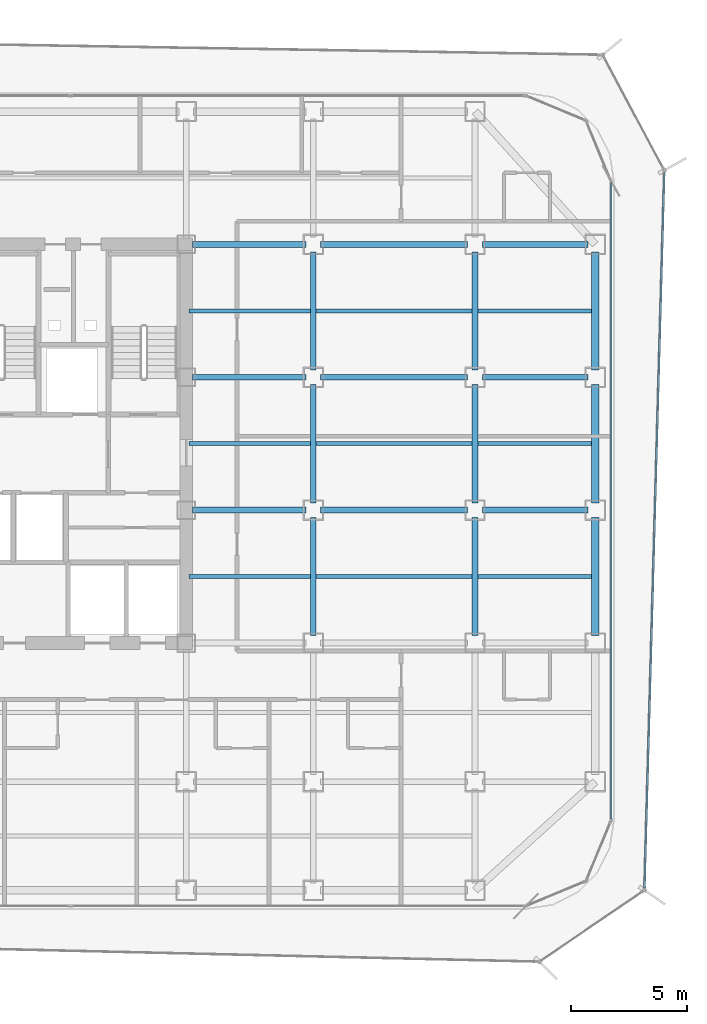
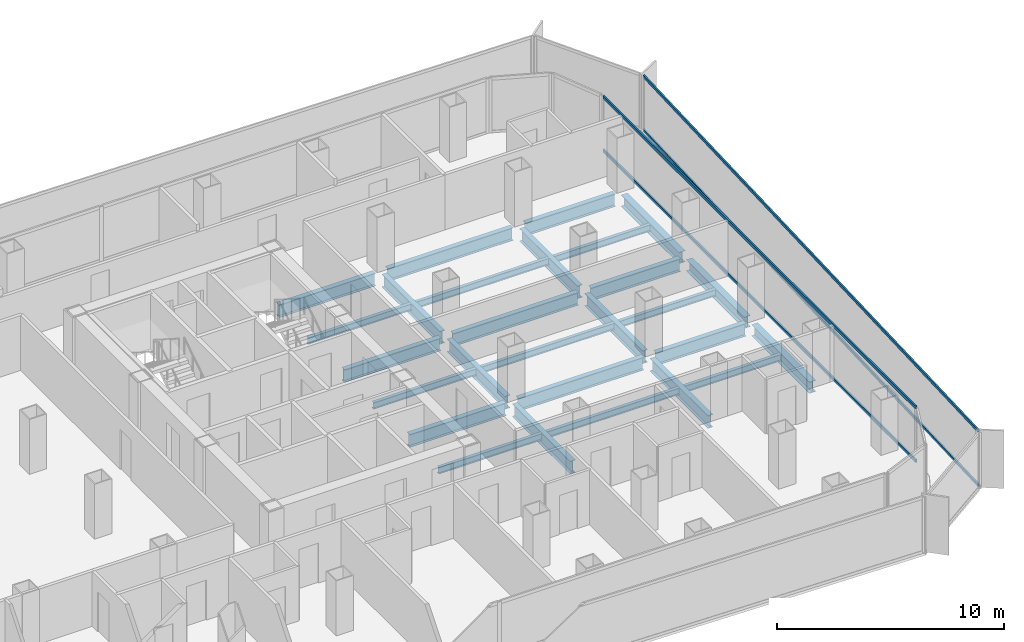
# One storey, part 9 of 21: 27 beams, 4 members, 2 elements without a shape of their own.
"""IFC4 building model written with IfcOpenShell, lengths in metres."""

from ifc_helpers import new_model, si_unit, direction, frame, origin, origin_2d, place, context, subcontext, project, spatial, hollow_rectangle, i_section, extrude, source, transform, mapped, material, layer, layer_set, material_profile, profile_set, type_object, element, aggregate, save


model = new_model("IFC4")

# Units and contexts
model_context = context("Model", 3, precision=1e-05, world=origin(), true_north=direction((0.0, 1.0)))
body_context = subcontext(model_context, "Body", "Model", "MODEL_VIEW")
ifc_project = project(units=[si_unit("LENGTHUNIT", "METRE"), si_unit("AREAUNIT", "SQUARE_METRE"), si_unit("VOLUMEUNIT", "CUBIC_METRE"), si_unit("PLANEANGLEUNIT", "RADIAN"), si_unit("MASSUNIT", "GRAM", prefix="KILO")], contexts=[model_context])

# Site, building, storey
site_placement = place(None, origin())
site = spatial("IfcSite", under=ifc_project, at=site_placement, CompositionType="ELEMENT")
building_placement = place(site_placement, origin())
building = spatial("IfcBuilding", under=site, at=building_placement, Name="Kolveth Station Tower", CompositionType="ELEMENT")
storey_placement = place(building_placement, frame((0.0, 0.0, 102.300048828125)))
storey = spatial("IfcBuildingStorey", under=building, at=storey_placement, Name="L27", CompositionType="ELEMENT", Elevation=102.300048828125)

# Beams
ifc_material_1 = material(Name="Steel S355", Category="steel")
ifc_material_profile_1 = material_profile(ifc_material_1, i_section(OverallWidth=0.323974609375, OverallDepth=0.611083984375, WebThickness=0.0126953125, FlangeThickness=0.01904296875, at=origin_2d()), Name="W610x155")
ifc_profile_set_1 = profile_set([ifc_material_profile_1], Name="Steel S355")
beam_type_1 = type_object("IfcBeamType", Name="Beam_SP2", PredefinedType="SPANDREL", material=ifc_profile_set_1)
shared_shape_1 = source(origin(), body_context, "Body", "SweptSolid", [
    extrude(i_section(OverallWidth=0.323974609375, OverallDepth=0.611083984375, WebThickness=0.0126953125, FlangeThickness=0.01904296875, at=origin_2d()), origin(), (0.0, 0.0, 1.0), 5.10986328125),
])
for number, where, z_axis, x_axis, name in (
    (1, (46.199951171875, 11.820068359375, -0.5556640625), (0.0, 1.0, 0.0), (-1.0, 0.0, 0.0), "L27 Perimeter Spandrel BM-L27-PE-2"),
    (2, (46.199951171875, 17.570068359375, -0.5556640625), (0.0, 1.0, 0.0), (-1.0, 0.0, 0.0), "L27 Perimeter Spandrel BM-L27-PE-3"),
    (3, (46.199951171875, 23.320068359375, -0.5556640625), (0.0, 1.0, 0.0), (-1.0, 0.0, 0.0), "L27 Perimeter Spandrel BM-L27-PE-4"),
):
    element("IfcBeam", number, at=place(storey_placement, frame(where, z_axis=z_axis, x_axis=x_axis)), inside=storey, type_object=beam_type_1, Name=name, PredefinedType="SPANDREL", context=body_context, shape_type="MappedRepresentation", body=[
        mapped(shared_shape_1, transform((0.0, 0.0, 0.0), x_axis=(1.0, 0.0, 0.0), y_axis=(0.0, 1.0, 0.0), z_axis=(0.0, 0.0, 1.0), scale=1.0)),
    ])
ifc_material_profile_2 = material_profile(ifc_material_1, i_section(OverallWidth=0.25390625, OverallDepth=0.68798828125, WebThickness=0.01318359375, FlangeThickness=0.02099609375, at=origin_2d()), Name="W690x152")
ifc_profile_set_2 = profile_set([ifc_material_profile_2], Name="Steel S355")
beam_type_2 = type_object("IfcBeamType", Name="Beam_B4", PredefinedType="BEAM", material=ifc_profile_set_2)
shared_shape_2 = source(origin(), body_context, "Body", "SweptSolid", [
    extrude(i_section(OverallWidth=0.25390625, OverallDepth=0.68798828125, WebThickness=0.01318359375, FlangeThickness=0.02099609375, at=origin_2d()), origin(), (0.0, 0.0, 1.0), 4.559814453125),
])
for number, where, z_axis, x_axis, name in (
    (4, (41.320068359375, 17.25, -0.593994140625), (1.0, 0.0, 0.0), (0.0, 1.0, 0.0), "L27 Primary Girder BM-L27-GY172-7"),
    (5, (41.320068359375, 23.0, -0.593994140625), (1.0, 0.0, 0.0), (0.0, 1.0, 0.0), "L27 Primary Girder BM-L27-GY230-7"),
    (6, (41.320068359375, 28.75, -0.593994140625), (1.0, 0.0, 0.0), (0.0, 1.0, 0.0), "L27 Primary Girder BM-L27-GY287-7"),
):
    element("IfcBeam", number, at=place(storey_placement, frame(where, z_axis=z_axis, x_axis=x_axis)), inside=storey, type_object=beam_type_2, Name=name, PredefinedType="BEAM", context=body_context, shape_type="MappedRepresentation", body=[
        mapped(shared_shape_2, transform((0.0, 0.0, 0.0), x_axis=(1.0, 0.0, 0.0), y_axis=(0.0, 1.0, 0.0), z_axis=(0.0, 0.0, 1.0), scale=1.0)),
    ])
shared_shape_3 = source(origin(), body_context, "Body", "SweptSolid", [
    extrude(i_section(OverallWidth=0.25390625, OverallDepth=0.68798828125, WebThickness=0.01318359375, FlangeThickness=0.02099609375, at=origin_2d()), origin(), (0.0, 0.0, 1.0), 6.35986328125),
])
for number, where, z_axis, x_axis, name in (
    (7, (34.320068359375, 17.25, -0.593994140625), (1.0, 0.0, 0.0), (0.0, 1.0, 0.0), "L27 Primary Girder BM-L27-GY172-6"),
    (8, (34.320068359375, 23.0, -0.593994140625), (1.0, 0.0, 0.0), (0.0, 1.0, 0.0), "L27 Primary Girder BM-L27-GY230-6"),
    (9, (34.320068359375, 28.75, -0.593994140625), (1.0, 0.0, 0.0), (0.0, 1.0, 0.0), "L27 Primary Girder BM-L27-GY287-6"),
):
    element("IfcBeam", number, at=place(storey_placement, frame(where, z_axis=z_axis, x_axis=x_axis)), inside=storey, type_object=beam_type_2, Name=name, PredefinedType="BEAM", context=body_context, shape_type="MappedRepresentation", body=[
        mapped(shared_shape_3, transform((0.0, 0.0, 0.0), x_axis=(1.0, 0.0, 0.0), y_axis=(0.0, 1.0, 0.0), z_axis=(0.0, 0.0, 1.0), scale=1.0)),
    ])
shared_shape_4 = source(origin(), body_context, "Body", "SweptSolid", [
    extrude(i_section(OverallWidth=0.25390625, OverallDepth=0.68798828125, WebThickness=0.01318359375, FlangeThickness=0.02099609375, at=origin_2d()), origin(), (0.0, 0.0, 1.0), 4.89990234375),
])
for number, where, z_axis, x_axis, name in (
    (10, (28.780029296875, 17.25, -0.593994140625), (1.0, 0.0, 0.0), (0.0, 1.0, 0.0), "L27 Primary Girder BM-L27-GY172-5"),
    (11, (28.780029296875, 23.0, -0.593994140625), (1.0, 0.0, 0.0), (0.0, 1.0, 0.0), "L27 Primary Girder BM-L27-GY230-5"),
    (12, (28.780029296875, 28.75, -0.593994140625), (1.0, 0.0, 0.0), (0.0, 1.0, 0.0), "L27 Primary Girder BM-L27-GY287-5"),
):
    element("IfcBeam", number, at=place(storey_placement, frame(where, z_axis=z_axis, x_axis=x_axis)), inside=storey, type_object=beam_type_2, Name=name, PredefinedType="BEAM", context=body_context, shape_type="MappedRepresentation", body=[
        mapped(shared_shape_4, transform((0.0, 0.0, 0.0), x_axis=(1.0, 0.0, 0.0), y_axis=(0.0, 1.0, 0.0), z_axis=(0.0, 0.0, 1.0), scale=1.0)),
    ])
shared_shape_5 = source(origin(), body_context, "Body", "SweptSolid", [
    extrude(i_section(OverallWidth=0.25390625, OverallDepth=0.68798828125, WebThickness=0.01318359375, FlangeThickness=0.02099609375, at=origin_2d()), origin(), (0.0, 0.0, 1.0), 5.10986328125),
])
for number, where, z_axis, x_axis, name in (
    (13, (34.0, 11.820068359375, -0.593994140625), (0.0, 1.0, 0.0), (-1.0, 0.0, 0.0), "L27 Primary Girder BM-L27-GX340-3"),
    (14, (34.0, 17.570068359375, -0.593994140625), (0.0, 1.0, 0.0), (-1.0, 0.0, 0.0), "L27 Primary Girder BM-L27-GX340-4"),
    (15, (34.0, 23.320068359375, -0.593994140625), (0.0, 1.0, 0.0), (-1.0, 0.0, 0.0), "L27 Primary Girder BM-L27-GX340-5"),
    (16, (41.0, 11.820068359375, -0.593994140625), (0.0, 1.0, 0.0), (-1.0, 0.0, 0.0), "L27 Primary Girder BM-L27-GX410-3"),
    (17, (41.0, 17.570068359375, -0.593994140625), (0.0, 1.0, 0.0), (-1.0, 0.0, 0.0), "L27 Primary Girder BM-L27-GX410-4"),
    (18, (41.0, 23.320068359375, -0.593994140625), (0.0, 1.0, 0.0), (-1.0, 0.0, 0.0), "L27 Primary Girder BM-L27-GX410-5"),
):
    element("IfcBeam", number, at=place(storey_placement, frame(where, z_axis=z_axis, x_axis=x_axis)), inside=storey, type_object=beam_type_2, Name=name, PredefinedType="BEAM", context=body_context, shape_type="MappedRepresentation", body=[
        mapped(shared_shape_5, transform((0.0, 0.0, 0.0), x_axis=(1.0, 0.0, 0.0), y_axis=(0.0, 1.0, 0.0), z_axis=(0.0, 0.0, 1.0), scale=1.0)),
    ])
ifc_material_profile_3 = material_profile(ifc_material_1, i_section(OverallWidth=0.1708984375, OverallDepth=0.35205078125, WebThickness=0.0068359375, FlangeThickness=0.009765625, at=origin_2d()), Name="W360x44")
ifc_profile_set_3 = profile_set([ifc_material_profile_3], Name="Steel S355")
beam_type_3 = type_object("IfcBeamType", Name="Beam_J2", PredefinedType="JOIST", material=ifc_profile_set_3)
shared_shape_6 = source(origin(), body_context, "Body", "SweptSolid", [
    extrude(i_section(OverallWidth=0.1708984375, OverallDepth=0.35205078125, WebThickness=0.0068359375, FlangeThickness=0.009765625, at=origin_2d()), origin(), (0.0, 0.0, 1.0), 4.9150390625),
])
for number, where, z_axis, x_axis, name in (
    (19, (41.125, 14.375, -0.426025390625), (1.0, 0.0, 0.0), (0.0, 1.0, 0.0), "L27 Secondary Joist JST-L27-7-3"),
    (20, (41.125, 20.125, -0.426025390625), (1.0, 0.0, 0.0), (0.0, 1.0, 0.0), "L27 Secondary Joist JST-L27-7-4"),
    (21, (41.125, 25.875, -0.426025390625), (1.0, 0.0, 0.0), (0.0, 1.0, 0.0), "L27 Secondary Joist JST-L27-7-5"),
):
    element("IfcBeam", number, at=place(storey_placement, frame(where, z_axis=z_axis, x_axis=x_axis)), inside=storey, type_object=beam_type_3, Name=name, PredefinedType="JOIST", context=body_context, shape_type="MappedRepresentation", body=[
        mapped(shared_shape_6, transform((0.0, 0.0, 0.0), x_axis=(1.0, 0.0, 0.0), y_axis=(0.0, 1.0, 0.0), z_axis=(0.0, 0.0, 1.0), scale=1.0)),
    ])
shared_shape_7 = source(origin(), body_context, "Body", "SweptSolid", [
    extrude(i_section(OverallWidth=0.1708984375, OverallDepth=0.35205078125, WebThickness=0.0068359375, FlangeThickness=0.009765625, at=origin_2d()), origin(), (0.0, 0.0, 1.0), 6.75),
])
for number, where, z_axis, x_axis, name in (
    (22, (34.125, 14.375, -0.426025390625), (1.0, 0.0, 0.0), (0.0, 1.0, 0.0), "L27 Secondary Joist JST-L27-6-3"),
    (23, (34.125, 20.125, -0.426025390625), (1.0, 0.0, 0.0), (0.0, 1.0, 0.0), "L27 Secondary Joist JST-L27-6-4"),
    (24, (34.125, 25.875, -0.426025390625), (1.0, 0.0, 0.0), (0.0, 1.0, 0.0), "L27 Secondary Joist JST-L27-6-5"),
):
    element("IfcBeam", number, at=place(storey_placement, frame(where, z_axis=z_axis, x_axis=x_axis)), inside=storey, type_object=beam_type_3, Name=name, PredefinedType="JOIST", context=body_context, shape_type="MappedRepresentation", body=[
        mapped(shared_shape_7, transform((0.0, 0.0, 0.0), x_axis=(1.0, 0.0, 0.0), y_axis=(0.0, 1.0, 0.0), z_axis=(0.0, 0.0, 1.0), scale=1.0)),
    ])
shared_shape_8 = source(origin(), body_context, "Body", "SweptSolid", [
    extrude(i_section(OverallWidth=0.1708984375, OverallDepth=0.35205078125, WebThickness=0.0068359375, FlangeThickness=0.009765625, at=origin_2d()), origin(), (0.0, 0.0, 1.0), 5.25),
])
for number, where, z_axis, x_axis, name in (
    (25, (28.625, 14.375, -0.426025390625), (1.0, 0.0, 0.0), (0.0, 1.0, 0.0), "L27 Secondary Joist JST-L27-5-3"),
    (26, (28.625, 20.125, -0.426025390625), (1.0, 0.0, 0.0), (0.0, 1.0, 0.0), "L27 Secondary Joist JST-L27-5-4"),
    (27, (28.625, 25.875, -0.426025390625), (1.0, 0.0, 0.0), (0.0, 1.0, 0.0), "L27 Secondary Joist JST-L27-5-5"),
):
    element("IfcBeam", number, at=place(storey_placement, frame(where, z_axis=z_axis, x_axis=x_axis)), inside=storey, type_object=beam_type_3, Name=name, PredefinedType="JOIST", context=body_context, shape_type="MappedRepresentation", body=[
        mapped(shared_shape_8, transform((0.0, 0.0, 0.0), x_axis=(1.0, 0.0, 0.0), y_axis=(0.0, 1.0, 0.0), z_axis=(0.0, 0.0, 1.0), scale=1.0)),
    ])

# Curtain wall, members
ifc_material_2 = material(Name="Aluminium 6063-T6 and low-E dark glass", Category="aluminium")
ifc_layer_1 = layer(ifc_material_2, 0.18994140625)
ifc_layer_set_1 = layer_set([ifc_layer_1], Name="Aluminium 6063-T6 and low-E dark glass")
curtain_wall_type_1 = type_object("IfcCurtainWallType", Name="CurtainWall_CW-Z2", PredefinedType="NOTDEFINED", material=ifc_layer_set_1)
curtain_wall_1_placement = place(storey_placement, origin())
curtain_wall_1 = element("IfcCurtainWall", 28, at=curtain_wall_1_placement, inside=storey, type_object=curtain_wall_type_1, Name="L27 Inner Thermal Curtain Wall 3", PredefinedType="NOTDEFINED")
ifc_material_3 = material(Name="Black anodized aluminium 6063-T6", Category="aluminium")
ifc_material_profile_4 = material_profile(ifc_material_3, hollow_rectangle(XDim=0.080078125, YDim=0.169921875, WallThickness=0.0048828125, at=origin_2d()), Name="ALU-80x170x5")
ifc_profile_set_4 = profile_set([ifc_material_profile_4], Name="Black anodized aluminium 6063-T6")
member_type_1 = type_object("IfcMemberType", Name="Transom_TR2", PredefinedType="USERDEFINED", material=ifc_profile_set_4)
shared_shape_9 = source(origin(), body_context, "Body", "SweptSolid", [
    extrude(hollow_rectangle(XDim=0.080078125, YDim=0.169921875, WallThickness=0.0048828125, at=origin_2d()), origin(), (0.0, 0.0, 1.0), 27.5400390625),
])
member_1_placement = place(storey_placement, frame((46.8798828125, 3.8798828125, 0.0400390625), z_axis=(0.0, 1.0, 0.0), x_axis=(-1.0, 0.0, 0.0)))
member_1 = element("IfcMember", 29, at=member_1_placement, type_object=member_type_1, Name="CW-Z2 transom 1.1", ObjectType="TRANSOM", PredefinedType="USERDEFINED", context=body_context, shape_type="MappedRepresentation", body=[
    mapped(shared_shape_9, transform((0.0, 0.0, 0.0), x_axis=(1.0, 0.0, 0.0), y_axis=(0.0, 1.0, 0.0), z_axis=(0.0, 0.0, 1.0), scale=1.0)),
])
member_2_placement = place(storey_placement, frame((46.8798828125, 3.8798828125, 2.909912109375), z_axis=(0.0, 1.0, 0.0), x_axis=(-1.0, 0.0, 0.0)))
member_2 = element("IfcMember", 30, at=member_2_placement, type_object=member_type_1, Name="CW-Z2 transom 1.2", ObjectType="TRANSOM", PredefinedType="USERDEFINED", context=body_context, shape_type="MappedRepresentation", body=[
    mapped(shared_shape_9, transform((0.0, 0.0, 0.0), x_axis=(1.0, 0.0, 0.0), y_axis=(0.0, 1.0, 0.0), z_axis=(0.0, 0.0, 1.0), scale=1.0)),
])
aggregate(curtain_wall_1, [member_1, member_2])

ifc_material_4 = material(Name="Black anodized aluminium 6063-T6 and dark solar glass", Category="aluminium")
ifc_layer_2 = layer(ifc_material_4, 0.159912109375)
ifc_layer_set_2 = layer_set([ifc_layer_2], Name="Black anodized aluminium 6063-T6 and dark solar glass")
curtain_wall_type_2 = type_object("IfcCurtainWallType", Name="OUTER SKIN CW-OS", PredefinedType="NOTDEFINED", material=ifc_layer_set_2)
curtain_wall_2_placement = place(storey_placement, origin())
curtain_wall_2 = element("IfcCurtainWall", 31, at=curtain_wall_2_placement, inside=storey, type_object=curtain_wall_type_2, Name="L27 Outer Ventilated Skin Curtain Wall 2", PredefinedType="NOTDEFINED")
ifc_material_profile_5 = material_profile(ifc_material_3, hollow_rectangle(XDim=0.080078125, YDim=0.14990234375, WallThickness=0.0048828125, at=origin_2d()), Name="ALU-80x150x5")
ifc_profile_set_5 = profile_set([ifc_material_profile_5], Name="Black anodized aluminium 6063-T6")
member_type_2 = type_object("IfcMemberType", Name="Transom_TR-OS", PredefinedType="USERDEFINED", material=ifc_profile_set_5)
shared_shape_10 = source(origin(), body_context, "Body", "SweptSolid", [
    extrude(hollow_rectangle(XDim=0.080078125, YDim=0.14990234375, WallThickness=0.0048828125, at=origin_2d()), origin(), (0.0, 0.0, 1.0), 30.98583984375),
])
member_3_placement = place(storey_placement, frame((48.33056640625, 0.8916015625, 0.0400390625), z_axis=(0.027647877691, 0.999617724362, 0.0), x_axis=(-0.999617724362, 0.027647877691, 0.0)))
member_3 = element("IfcMember", 32, at=member_3_placement, type_object=member_type_2, Name="CW-OS transom 1.1", ObjectType="TRANSOM", PredefinedType="USERDEFINED", context=body_context, shape_type="MappedRepresentation", body=[
    mapped(shared_shape_10, transform((0.0, 0.0, 0.0), x_axis=(1.0, 0.0, 0.0), y_axis=(0.0, 1.0, 0.0), z_axis=(0.0, 0.0, 1.0), scale=1.0)),
])
member_4_placement = place(storey_placement, frame((48.33056640625, 0.8916015625, 2.949951171875), z_axis=(0.027647877691, 0.999617724362, 0.0), x_axis=(-0.999617724362, 0.027647877691, 0.0)))
member_4 = element("IfcMember", 33, at=member_4_placement, type_object=member_type_2, Name="CW-OS transom 1.2", ObjectType="TRANSOM", PredefinedType="USERDEFINED", context=body_context, shape_type="MappedRepresentation", body=[
    mapped(shared_shape_10, transform((0.0, 0.0, 0.0), x_axis=(1.0, 0.0, 0.0), y_axis=(0.0, 1.0, 0.0), z_axis=(0.0, 0.0, 1.0), scale=1.0)),
])
aggregate(curtain_wall_2, [member_3, member_4])

save(model, "model.ifc")
